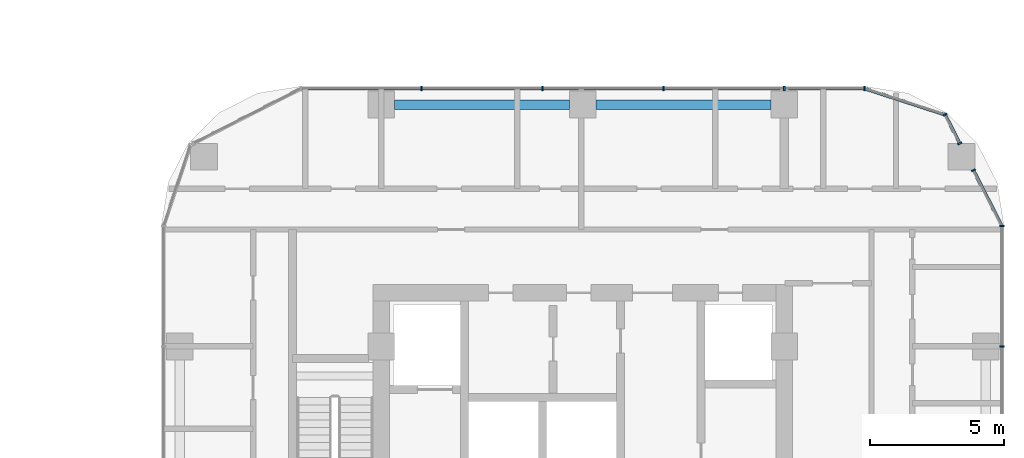
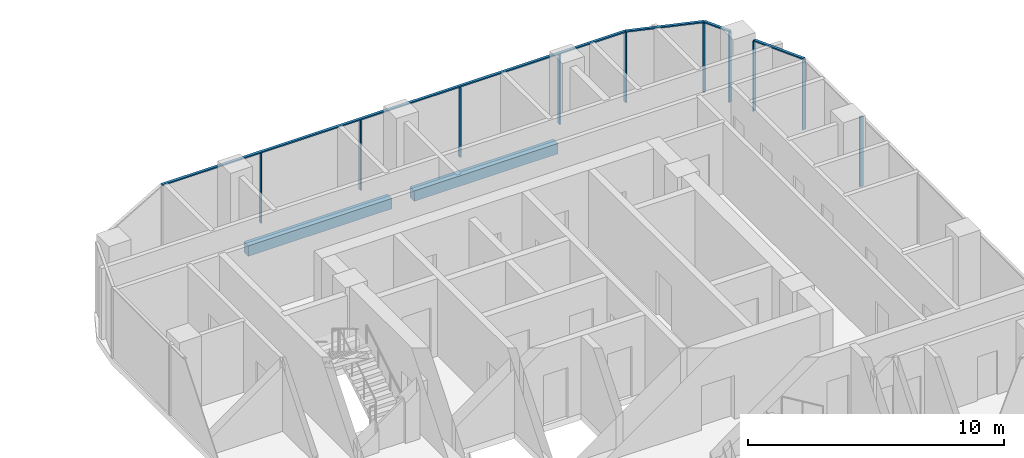
# One storey, part 10 of 31: 14 members, 2 beams, 4 elements without a shape of their own.
"""IFC4 building model written with IfcOpenShell, lengths in metres."""

from ifc_helpers import new_model, si_unit, direction, frame, origin, origin_2d, place, context, subcontext, project, spatial, rectangle, extrude, material, material_profile, profile_set, type_object, element, aggregate, save


model = new_model("IFC4")

# Units and contexts
model_context = context("Model", 3, precision=1e-05, world=origin(), true_north=direction((0.0, 1.0)))
body_context = subcontext(model_context, "Body", "Model", "MODEL_VIEW")
ifc_project = project(units=[si_unit("LENGTHUNIT", "METRE"), si_unit("AREAUNIT", "SQUARE_METRE"), si_unit("VOLUMEUNIT", "CUBIC_METRE"), si_unit("PLANEANGLEUNIT", "RADIAN"), si_unit("MASSUNIT", "GRAM", prefix="KILO")], contexts=[model_context])

# Site, building, storey
site_placement = place(None, origin())
site = spatial("IfcSite", under=ifc_project, at=site_placement, CompositionType="ELEMENT")
building_placement = place(site_placement, origin())
building = spatial("IfcBuilding", under=site, at=building_placement, Name="Ogive Portal Towers", CompositionType="ELEMENT")
storey_placement = place(building_placement, frame((0.0, 0.0, 40.89990234375)))
storey = spatial("IfcBuildingStorey", under=building, at=storey_placement, Name="L08", CompositionType="ELEMENT", Elevation=40.89990234375)

# Curtain wall, members
ifc_material_1 = material(Name="Glass, clear low-iron insulated glazing", Category="glass")
curtain_wall_type = type_object("IfcCurtainWallType", Name="CW RESIDENCES RIBBON", PredefinedType="NOTDEFINED", material=ifc_material_1)
curtain_wall_1_placement = place(storey_placement, origin())
curtain_wall_1 = element("IfcCurtainWall", 1, at=curtain_wall_1_placement, inside=storey, type_object=curtain_wall_type, Name="B:L08:f05:cw0", PredefinedType="NOTDEFINED")
ifc_material_2 = material(Name="Aluminium 6063 anodised", Category="aluminium")
ifc_material_profile_1 = material_profile(ifc_material_2, rectangle(XDim=0.159912109375, YDim=0.06005859375, at=origin_2d()), Name="AL 60x160")
ifc_profile_set_1 = profile_set([ifc_material_profile_1], Name="Aluminium 6063 anodised")
member_type_1 = type_object("IfcMemberType", Name="CW MULLION 60x160", PredefinedType="MULLION", material=ifc_profile_set_1)
member_1_placement = place(storey_placement, frame((152.10009765625, 35.5, 0.0), z_axis=(0.0, 0.0, 1.0), x_axis=(-1.0, 0.0, 0.0)))
member_1 = element("IfcMember", 2, at=member_1_placement, type_object=member_type_1, Name="mullion", PredefinedType="MULLION", context=body_context, shape_type="SweptSolid", body=[
    extrude(rectangle(XDim=0.159912109375, YDim=0.06005859375, at=origin_2d()), origin(), (0.0, 0.0, 1.0), 3.340087890625),
])
member_2_placement = place(storey_placement, frame((152.10009765625, 39.980712890625, 0.0), z_axis=(0.0, 0.0, 1.0), x_axis=(-1.0, 0.0, 0.0)))
member_2 = element("IfcMember", 3, at=member_2_placement, type_object=member_type_1, Name="mullion", PredefinedType="MULLION", context=body_context, shape_type="SweptSolid", body=[
    extrude(rectangle(XDim=0.159912109375, YDim=0.06005859375, at=origin_2d()), origin(), (0.0, 0.0, 1.0), 3.340087890625),
])
aggregate(curtain_wall_1, [member_1, member_2])

curtain_wall_2_placement = place(storey_placement, origin())
curtain_wall_2 = element("IfcCurtainWall", 4, at=curtain_wall_2_placement, inside=storey, type_object=curtain_wall_type, Name="B:L08:f08:cw0", PredefinedType="NOTDEFINED")
member_3_placement = place(storey_placement, frame((146.9873046875, 45.10009765625, 0.0), z_axis=(0.0, 0.0, 1.0), x_axis=(0.0, -1.0, 0.0)))
member_3 = element("IfcMember", 5, at=member_3_placement, type_object=member_type_1, Name="mullion", PredefinedType="MULLION", context=body_context, shape_type="SweptSolid", body=[
    extrude(rectangle(XDim=0.159912109375, YDim=0.06005859375, at=origin_2d()), origin(), (0.0, 0.0, 1.0), 3.340087890625),
])
member_4_placement = place(storey_placement, frame((144.0, 45.10009765625, 0.0), z_axis=(0.0, 0.0, 1.0), x_axis=(0.0, -1.0, 0.0)))
member_4 = element("IfcMember", 6, at=member_4_placement, type_object=member_type_1, Name="mullion", PredefinedType="MULLION", context=body_context, shape_type="SweptSolid", body=[
    extrude(rectangle(XDim=0.159912109375, YDim=0.06005859375, at=origin_2d()), origin(), (0.0, 0.0, 1.0), 3.340087890625),
])
member_5_placement = place(storey_placement, frame((139.5, 45.10009765625, 0.0), z_axis=(0.0, 0.0, 1.0), x_axis=(0.0, -1.0, 0.0)))
member_5 = element("IfcMember", 7, at=member_5_placement, type_object=member_type_1, Name="mullion", PredefinedType="MULLION", context=body_context, shape_type="SweptSolid", body=[
    extrude(rectangle(XDim=0.159912109375, YDim=0.06005859375, at=origin_2d()), origin(), (0.0, 0.0, 1.0), 3.340087890625),
])
member_6_placement = place(storey_placement, frame((135.0, 45.10009765625, 0.0), z_axis=(0.0, 0.0, 1.0), x_axis=(0.0, -1.0, 0.0)))
member_6 = element("IfcMember", 8, at=member_6_placement, type_object=member_type_1, Name="mullion", PredefinedType="MULLION", context=body_context, shape_type="SweptSolid", body=[
    extrude(rectangle(XDim=0.159912109375, YDim=0.06005859375, at=origin_2d()), origin(), (0.0, 0.0, 1.0), 3.340087890625),
])
member_7_placement = place(storey_placement, frame((130.5, 45.10009765625, 0.0), z_axis=(0.0, 0.0, 1.0), x_axis=(0.0, -1.0, 0.0)))
member_7 = element("IfcMember", 9, at=member_7_placement, type_object=member_type_1, Name="mullion", PredefinedType="MULLION", context=body_context, shape_type="SweptSolid", body=[
    extrude(rectangle(XDim=0.159912109375, YDim=0.06005859375, at=origin_2d()), origin(), (0.0, 0.0, 1.0), 3.340087890625),
])

# Curtain wall, member
curtain_wall_3_placement = place(storey_placement, origin())
curtain_wall_3 = element("IfcCurtainWall", 10, at=curtain_wall_3_placement, inside=storey, type_object=curtain_wall_type, Name="B:L08:f06:cwa~0", PredefinedType="NOTDEFINED")
member_8_placement = place(storey_placement, frame((151.04150390625, 42.05810546875, 0.0), z_axis=(0.0, 0.0, 1.0), x_axis=(-0.891006524188, -0.45399049974, 0.0)))
member_8 = element("IfcMember", 11, at=member_8_placement, type_object=member_type_1, Name="mullion", PredefinedType="MULLION", context=body_context, shape_type="SweptSolid", body=[
    extrude(rectangle(XDim=0.159912109375, YDim=0.06005859375, at=origin_2d()), origin(), (0.0, 0.0, 1.0), 3.340087890625),
])

# Curtain wall, members
curtain_wall_4_placement = place(storey_placement, origin())
curtain_wall_4 = element("IfcCurtainWall", 12, at=curtain_wall_4_placement, inside=storey, type_object=curtain_wall_type, Name="B:L08:f06:cwa~1", PredefinedType="NOTDEFINED")
member_9_placement = place(storey_placement, frame((150.531982421875, 43.05810546875, 0.0), z_axis=(0.0, 0.0, 1.0), x_axis=(-0.891006524188, -0.45399049974, 0.0)))
member_9 = element("IfcMember", 13, at=member_9_placement, type_object=member_type_1, Name="mullion", PredefinedType="MULLION", context=body_context, shape_type="SweptSolid", body=[
    extrude(rectangle(XDim=0.159912109375, YDim=0.06005859375, at=origin_2d()), origin(), (0.0, 0.0, 1.0), 3.340087890625),
])
member_10_placement = place(storey_placement, frame((149.988525390625, 44.124755859375, 0.0), z_axis=(0.0, 0.0, 1.0), x_axis=(-0.891006524188, -0.45399049974, 0.0)))
member_10 = element("IfcMember", 14, at=member_10_placement, type_object=member_type_1, Name="mullion", PredefinedType="MULLION", context=body_context, shape_type="SweptSolid", body=[
    extrude(rectangle(XDim=0.159912109375, YDim=0.06005859375, at=origin_2d()), origin(), (0.0, 0.0, 1.0), 3.340087890625),
])

# Member
ifc_material_profile_2 = material_profile(ifc_material_2, rectangle(XDim=0.1201171875, YDim=0.06005859375, at=origin_2d()), Name="AL 120x60")
ifc_profile_set_2 = profile_set([ifc_material_profile_2], Name="Aluminium 6063 anodised")
member_type_2 = type_object("IfcMemberType", Name="CW TRANSOM 60x120", PredefinedType="USERDEFINED", material=ifc_profile_set_2)
member_11_placement = place(storey_placement, frame((146.9873046875, 45.10009765625, 3.3701171875), z_axis=(-1.0, 0.0, 0.0), x_axis=(0.0, -1.0, 0.0)))
member_11 = element("IfcMember", 15, at=member_11_placement, type_object=member_type_2, Name="transom", ObjectType="TRANSOM", PredefinedType="USERDEFINED", context=body_context, shape_type="SweptSolid", body=[
    extrude(rectangle(XDim=0.1201171875, YDim=0.06005859375, at=origin_2d()), origin(), (0.0, 0.0, 1.0), 20.968017578125),
])

aggregate(curtain_wall_2, [member_11, member_3, member_4, member_5, member_6, member_7])

member_12_placement = place(storey_placement, frame((152.10009765625, 39.980712890625, 3.3701171875), z_axis=(-0.454027737199, 0.890987549775, 0.0), x_axis=(-0.890987549775, -0.454027737199, 0.0)))
member_12 = element("IfcMember", 16, at=member_12_placement, type_object=member_type_2, Name="transom", ObjectType="TRANSOM", PredefinedType="USERDEFINED", context=body_context, shape_type="SweptSolid", body=[
    extrude(rectangle(XDim=0.1201171875, YDim=0.06005859375, at=origin_2d()), origin(), (0.0, 0.0, 1.0), 2.33154296875),
])

aggregate(curtain_wall_3, [member_12, member_8])

member_13_placement = place(storey_placement, frame((150.531982421875, 43.05810546875, 3.3701171875), z_axis=(-0.453971606911, 0.891016150313, 0.0), x_axis=(-0.891016150313, -0.453971606911, 0.0)))
member_13 = element("IfcMember", 17, at=member_13_placement, type_object=member_type_2, Name="transom", ObjectType="TRANSOM", PredefinedType="USERDEFINED", context=body_context, shape_type="SweptSolid", body=[
    extrude(rectangle(XDim=0.1201171875, YDim=0.06005859375, at=origin_2d()), origin(), (0.0, 0.0, 1.0), 1.197021484375),
])

member_14_placement = place(storey_placement, frame((149.988525390625, 44.124755859375, 3.3701171875), z_axis=(-0.951039185402, 0.309070328291, 0.0), x_axis=(-0.309070328291, -0.951039185402, 0.0)))
member_14 = element("IfcMember", 18, at=member_14_placement, type_object=member_type_2, Name="transom", ObjectType="TRANSOM", PredefinedType="USERDEFINED", context=body_context, shape_type="SweptSolid", body=[
    extrude(rectangle(XDim=0.1201171875, YDim=0.06005859375, at=origin_2d()), origin(), (0.0, 0.0, 1.0), 3.15576171875),
])

aggregate(curtain_wall_4, [member_13, member_14, member_9, member_10])

# Beams
ifc_material_3 = material(Name="Concrete C50/60", Category="concrete")
ifc_material_profile_3 = material_profile(ifc_material_3, rectangle(XDim=0.35009765625, YDim=0.5, at=origin_2d()), Name="RC 350x500")
ifc_profile_set_3 = profile_set([ifc_material_profile_3], Name="Concrete C50/60")
beam_type = type_object("IfcBeamType", Name="SPANDREL BEAM RC 350x500", PredefinedType="BEAM", material=ifc_profile_set_3)
for number, where, z_axis, x_axis, name in (
    (19, (143.5, 44.5, -0.5498046875), (-1.0, 0.0, 0.0), (0.0, -1.0, 0.0), "Spandrel beam L08"),
    (20, (136.0, 44.5, -0.5498046875), (-1.0, 0.0, 0.0), (0.0, -1.0, 0.0), "Spandrel beam L08"),
):
    element("IfcBeam", number, at=place(storey_placement, frame(where, z_axis=z_axis, x_axis=x_axis)), inside=storey, type_object=beam_type, Name=name, PredefinedType="BEAM", context=body_context, shape_type="SweptSolid", body=[
        extrude(rectangle(XDim=0.35009765625, YDim=0.5, at=origin_2d()), origin(), (0.0, 0.0, 1.0), 6.5),
    ])

save(model, "model.ifc")
